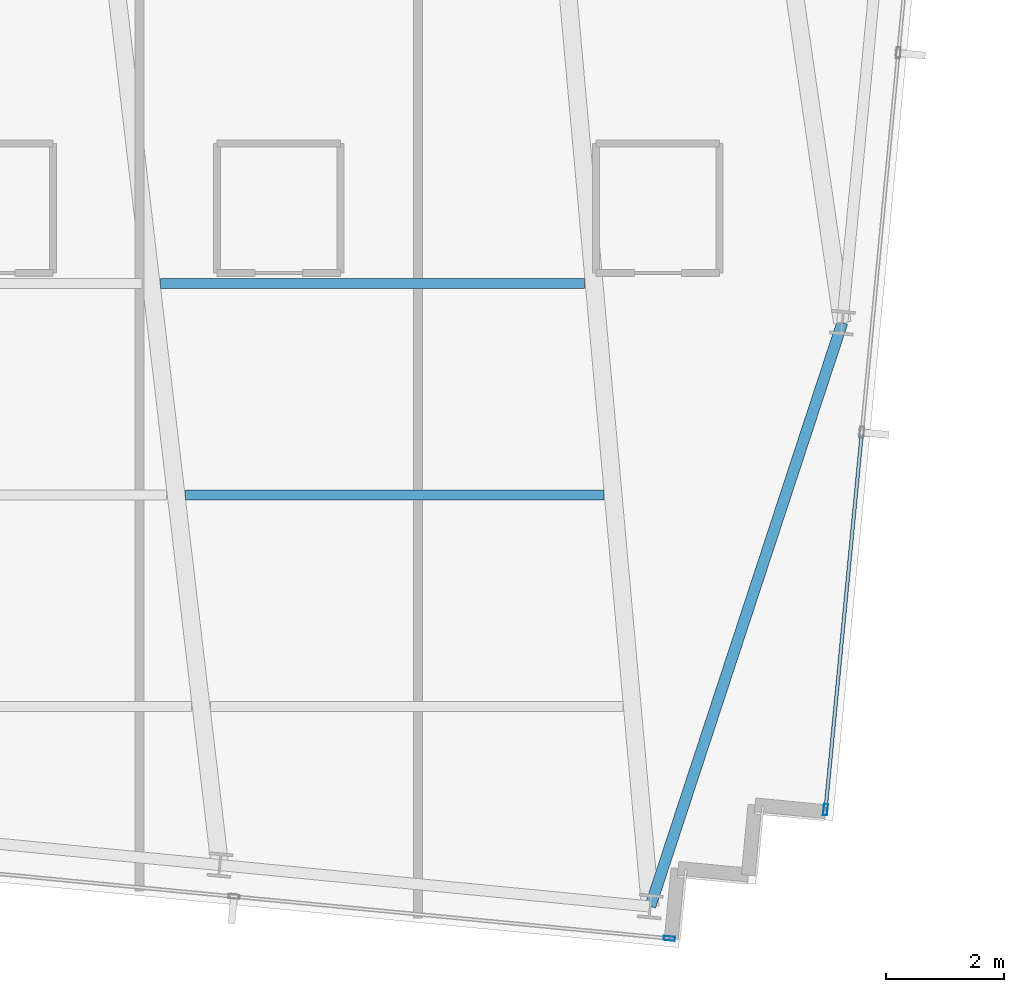
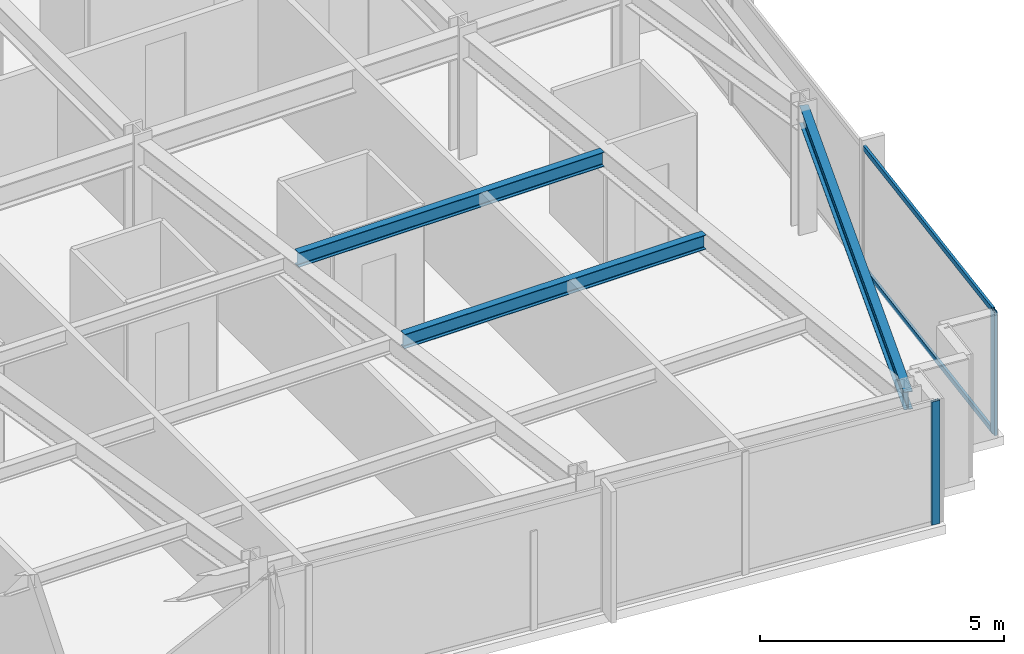
# One storey, part 14 of 37: 4 members, 3 beams, 2 elements without a shape of their own.
"""IFC4 building model written with IfcOpenShell, lengths in metres."""

from ifc_helpers import new_model, si_unit, direction, frame, origin, origin_2d, place, context, subcontext, project, spatial, hollow_rectangle, i_section, extrude, material, material_profile, profile_set, type_object, element, aggregate, save


model = new_model("IFC4")

# Units and contexts
model_context = context("Model", 3, precision=1e-05, world=origin(), true_north=direction((0.0, 1.0)))
body_context = subcontext(model_context, "Body", "Model", "MODEL_VIEW")
ifc_project = project(units=[si_unit("LENGTHUNIT", "METRE"), si_unit("AREAUNIT", "SQUARE_METRE"), si_unit("VOLUMEUNIT", "CUBIC_METRE"), si_unit("PLANEANGLEUNIT", "RADIAN"), si_unit("MASSUNIT", "GRAM", prefix="KILO")], contexts=[model_context])

# Site, building, storey
site_placement = place(None, origin())
site = spatial("IfcSite", under=ifc_project, at=site_placement, CompositionType="ELEMENT")
building_placement = place(site_placement, origin())
building = spatial("IfcBuilding", under=site, at=building_placement, Name="Yelkora Congress Tower", CompositionType="ELEMENT")
storey_placement = place(building_placement, frame((0.0, 0.0, 182.0)))
storey = spatial("IfcBuildingStorey", under=building, at=storey_placement, Name="L50", CompositionType="ELEMENT", Elevation=182.0)

# Beams
ifc_material_1 = material(Name="Steel S355J2", Category="steel")
ifc_material_profile_1 = material_profile(ifc_material_1, i_section(OverallWidth=0.169921875, OverallDepth=0.360107421875, WebThickness=0.008056640625, FlangeThickness=0.0126953125, FilletRadius=0.01806640625, at=origin_2d()), Name="IPE 360")
ifc_profile_set_1 = profile_set([ifc_material_profile_1], Name="Steel S355J2")
beam_type_1 = type_object("IfcBeamType", Name="BM-JOIST-IPE360", PredefinedType="JOIST", material=ifc_profile_set_1)
beam_1_placement = place(storey_placement, frame((47.27587890625, 16.421142578125, 2.89990234375), z_axis=(1.0, 0.0, 0.0), x_axis=(0.0, 1.0, 0.0)))
element("IfcBeam", 1, at=beam_1_placement, inside=storey, type_object=beam_type_1, Name="L50 Composite Floor Joist 11", PredefinedType="JOIST", context=body_context, shape_type="SweptSolid", body=[
    extrude(i_section(OverallWidth=0.169921875, OverallDepth=0.360107421875, WebThickness=0.008056640625, FlangeThickness=0.0126953125, FilletRadius=0.01806640625, at=origin_2d()), origin(), (0.0, 0.0, 1.0), 7.115234375),
])
beam_2_placement = place(storey_placement, frame((46.851318359375, 20.021240234375, 2.89990234375), z_axis=(1.0, 0.0, 0.0), x_axis=(0.0, 1.0, 0.0)))
element("IfcBeam", 2, at=beam_2_placement, inside=storey, type_object=beam_type_1, Name="L50 Composite Floor Joist 18", PredefinedType="JOIST", context=body_context, shape_type="SweptSolid", body=[
    extrude(i_section(OverallWidth=0.169921875, OverallDepth=0.360107421875, WebThickness=0.008056640625, FlangeThickness=0.0126953125, FilletRadius=0.01806640625, at=origin_2d()), origin(), (0.0, 0.0, 1.0), 7.215576171875),
])
ifc_material_profile_2 = material_profile(ifc_material_1, i_section(OverallWidth=0.18994140625, OverallDepth=0.449951171875, WebThickness=0.009521484375, FlangeThickness=0.0146484375, FilletRadius=0.02099609375, at=origin_2d()), Name="IPE 450")
ifc_profile_set_2 = profile_set([ifc_material_profile_2], Name="Steel S355J2")
beam_type_2 = type_object("IfcBeamType", Name="BM-SPAN-IPE450", PredefinedType="SPANDREL", material=ifc_profile_set_2)
beam_3_placement = place(storey_placement, frame((55.18212890625, 9.421142578125, 2.85498046875), z_axis=(0.312456737339, 0.949931990877, 0.0), x_axis=(-0.949931990877, 0.312456737339, 0.0)))
element("IfcBeam", 3, at=beam_3_placement, inside=storey, type_object=beam_type_2, Name="L50 Perimeter Beam 9", PredefinedType="SPANDREL", context=body_context, shape_type="SweptSolid", body=[
    extrude(i_section(OverallWidth=0.18994140625, OverallDepth=0.449951171875, WebThickness=0.009521484375, FlangeThickness=0.0146484375, FilletRadius=0.02099609375, at=origin_2d()), origin(), (0.0, 0.0, 1.0), 10.4560546875),
])

# Curtain wall, member
ifc_material_2 = material(Name="Anodised aluminium and insulated glass", Category="aluminium")
curtain_wall_type = type_object("IfcCurtainWallType", Name="CW-SYS-B3", PredefinedType="NOTDEFINED", material=ifc_material_2)
curtain_wall_1_placement = place(storey_placement, origin())
curtain_wall_1 = element("IfcCurtainWall", 4, at=curtain_wall_1_placement, inside=storey, type_object=curtain_wall_type, Name="L50 Unitised Curtain Wall 15", PredefinedType="NOTDEFINED")
ifc_material_3 = material(Name="Anodised aluminium 6063-T6", Category="aluminium")
ifc_material_profile_3 = material_profile(ifc_material_3, hollow_rectangle(XDim=0.070068359375, YDim=0.18994140625, WallThickness=0.00390625, at=origin_2d()), Name="ALU 70x190x4")
ifc_profile_set_3 = profile_set([ifc_material_profile_3], Name="Anodised aluminium 6063-T6")
member_type_1 = type_object("IfcMemberType", Name="MEM-ML-B3", PredefinedType="MULLION", material=ifc_profile_set_3)
member_1_placement = place(storey_placement, frame((58.163818359375, 11.068115234375, 0.0), z_axis=(0.0, 0.0, 1.0), x_axis=(0.995396565076, -0.095841944023, 0.0)))
member_1 = element("IfcMember", 5, at=member_1_placement, type_object=member_type_1, Name="CW-B3 mullion 6", PredefinedType="MULLION", context=body_context, shape_type="SweptSolid", body=[
    extrude(hollow_rectangle(XDim=0.070068359375, YDim=0.18994140625, WallThickness=0.00390625, at=origin_2d()), origin(), (0.0, 0.0, 1.0), 3.080078125),
])

curtain_wall_2_placement = place(storey_placement, origin())
curtain_wall_2 = element("IfcCurtainWall", 6, at=curtain_wall_2_placement, inside=storey, type_object=curtain_wall_type, Name="L50 Unitised Curtain Wall 20", PredefinedType="NOTDEFINED")
member_2_placement = place(storey_placement, frame((55.506591796875, 8.877685546875, 0.0), z_axis=(0.0, 0.0, 1.0), x_axis=(-0.095844680679, -0.995396301573, 0.0)))
member_2 = element("IfcMember", 7, at=member_2_placement, type_object=member_type_1, Name="CW-B3 mullion 1", PredefinedType="MULLION", context=body_context, shape_type="SweptSolid", body=[
    extrude(hollow_rectangle(XDim=0.070068359375, YDim=0.18994140625, WallThickness=0.00390625, at=origin_2d()), origin(), (0.0, 0.0, 1.0), 3.080078125),
])
aggregate(curtain_wall_2, [member_2])

# Member
ifc_material_profile_4 = material_profile(ifc_material_3, hollow_rectangle(XDim=0.06005859375, YDim=0.1298828125, WallThickness=0.00390625, at=origin_2d()), Name="ALU 60x130x4")
ifc_profile_set_4 = profile_set([ifc_material_profile_4], Name="Anodised aluminium 6063-T6")
member_type_2 = type_object("IfcMemberType", Name="MEM-TR-B3", PredefinedType="USERDEFINED", material=ifc_profile_set_4)
member_3_placement = place(storey_placement, frame((58.778564453125, 17.45263671875, 0.030029296875), z_axis=(-0.095869192297, -0.995393941095, 0.0), x_axis=(0.995393941095, -0.095869192297, 0.0)))
member_3 = element("IfcMember", 8, at=member_3_placement, type_object=member_type_2, Name="CW-B3 transom 5.1", ObjectType="TRANSOM", PredefinedType="USERDEFINED", context=body_context, shape_type="SweptSolid", body=[
    extrude(hollow_rectangle(XDim=0.06005859375, YDim=0.1298828125, WallThickness=0.00390625, at=origin_2d()), origin(), (0.0, 0.0, 1.0), 6.379150390625),
])

member_4_placement = place(storey_placement, frame((58.778564453125, 17.45263671875, 3.050048828125), z_axis=(-0.095869192297, -0.995393941095, 0.0), x_axis=(0.995393941095, -0.095869192297, 0.0)))
member_4 = element("IfcMember", 9, at=member_4_placement, type_object=member_type_2, Name="CW-B3 transom 5.2", ObjectType="TRANSOM", PredefinedType="USERDEFINED", context=body_context, shape_type="SweptSolid", body=[
    extrude(hollow_rectangle(XDim=0.06005859375, YDim=0.1298828125, WallThickness=0.00390625, at=origin_2d()), origin(), (0.0, 0.0, 1.0), 6.379150390625),
])

aggregate(curtain_wall_1, [member_1, member_3, member_4])

save(model, "model.ifc")
